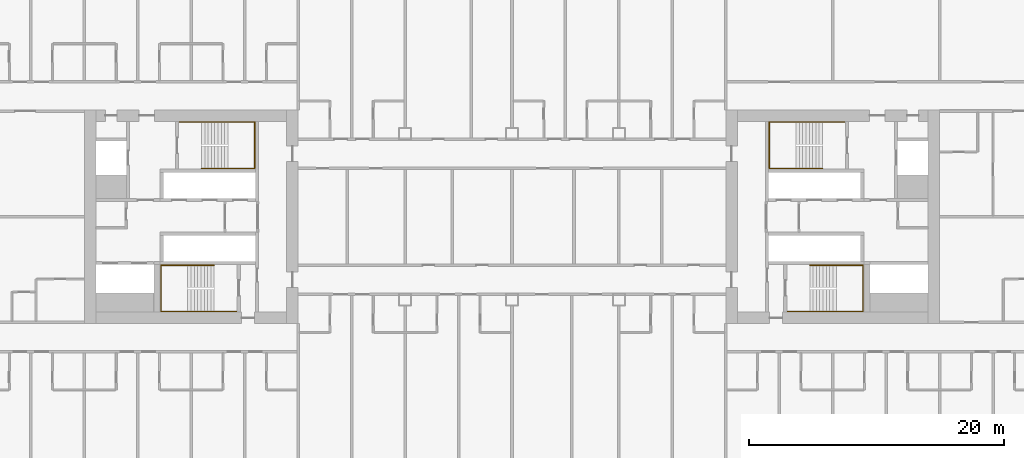
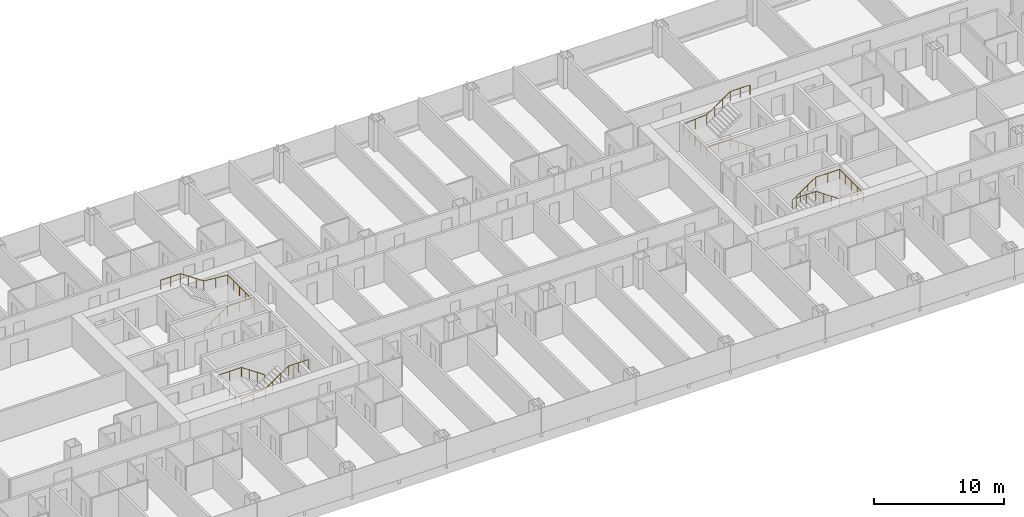
# One storey, part 29 of 29: 4 railings.
"""IFC4 building model written with IfcOpenShell, lengths in metres."""

from ifc_helpers import new_model, si_unit, direction, frame, origin, origin_2d, place, context, subcontext, project, spatial, circle, extrude, material, type_object, element, save


model = new_model("IFC4")

# Units and contexts
model_context = context("Model", 3, precision=1e-05, world=origin(), true_north=direction((0.0, 1.0)))
body_context = subcontext(model_context, "Body", "Model", "MODEL_VIEW")
ifc_project = project(units=[si_unit("LENGTHUNIT", "METRE"), si_unit("AREAUNIT", "SQUARE_METRE"), si_unit("VOLUMEUNIT", "CUBIC_METRE"), si_unit("PLANEANGLEUNIT", "RADIAN"), si_unit("MASSUNIT", "GRAM", prefix="KILO")], contexts=[model_context])

# Site, building, storey
site_placement = place(None, origin())
site = spatial("IfcSite", under=ifc_project, at=site_placement, CompositionType="ELEMENT")
building_placement = place(site_placement, origin())
building = spatial("IfcBuilding", under=site, at=building_placement, Name="Hakoniwa Tower and Hamabe Station Hall", CompositionType="ELEMENT")
storey_placement = place(building_placement, frame((0.0, 0.0, 55.0)))
storey = spatial("IfcBuildingStorey", under=building, at=storey_placement, Name="L15", CompositionType="ELEMENT", Elevation=55.0)

# Railings
ifc_material = material(Name="Stainless steel SUS304", Category="steel")
railing_type = type_object("IfcRailingType", Name="STAIR HANDRAIL 900", PredefinedType="HANDRAIL", material=ifc_material)
railing_1_placement = place(storey_placement, frame((-24.39990234375, 3.81005859375, 0.177734375)))
element("IfcRailing", 1, at=railing_1_placement, inside=storey, type_object=railing_type, Name="Handrail ST-1 L15 1", PredefinedType="HANDRAIL", context=body_context, shape_type="SweptSolid", body=[
    extrude(circle(Radius=0.02392578125, at=origin_2d()), frame((0.0, 0.0, 0.8759765625), z_axis=(0.825433201882, 0.0, 0.564499804456), x_axis=(0.0, 1.0, 0.0)), (0.0, 0.0, 1.0), 2.519775390625),
    extrude(circle(Radius=0.02392578125, at=origin_2d()), frame((2.079833984375, 0.0, 2.29833984375), z_axis=(1.0, 0.0, 0.0), x_axis=(0.0, 1.0, 0.0)), (0.0, 0.0, 1.0), 2.110107421875),
    extrude(circle(Radius=0.02392578125, at=origin_2d()), frame((4.18994140625, 0.0, 2.29833984375), z_axis=(0.0, 1.0, 0.0), x_axis=(-1.0, 0.0, 0.0)), (0.0, 0.0, 1.0), 3.6298828125),
    extrude(circle(Radius=0.02392578125, at=origin_2d()), frame((4.18994140625, 3.6298828125, 2.29833984375), z_axis=(-0.996471417081, 0.0, 0.083932800143), x_axis=(0.0, -1.0, 0.0)), (0.0, 0.0, 1.0), 2.11767578125),
    extrude(circle(Radius=0.02392578125, at=origin_2d()), frame((2.079833984375, 3.6298828125, 2.47607421875), z_axis=(-0.825478349766, 0.0, 0.564433781827), x_axis=(0.0, -1.0, 0.0)), (0.0, 0.0, 1.0), 2.51953125),
    extrude(circle(Radius=0.02392578125, at=origin_2d()), frame((0.0, 3.6298828125, 3.89794921875), z_axis=(-1.0, 0.0, 0.0), x_axis=(0.0, -1.0, 0.0)), (0.0, 0.0, 1.0), 1.739990234375),
    extrude(circle(Radius=0.02099609375, at=origin_2d()), origin(), (0.0, 0.0, 1.0), 0.851806640625),
    extrude(circle(Radius=0.02099609375, at=origin_2d()), frame((0.693359375, 0.0, 0.47412109375)), (0.0, 0.0, 1.0), 0.851806640625),
    extrude(circle(Radius=0.02099609375, at=origin_2d()), frame((1.386474609375, 0.0, 0.9482421875)), (0.0, 0.0, 1.0), 0.851806640625),
    extrude(circle(Radius=0.02099609375, at=origin_2d()), frame((2.079833984375, 0.0, 1.42236328125)), (0.0, 0.0, 1.0), 0.851806640625),
    extrude(circle(Radius=0.02099609375, at=origin_2d()), frame((3.134765625, 0.0, 1.42236328125)), (0.0, 0.0, 1.0), 0.851806640625),
    extrude(circle(Radius=0.02099609375, at=origin_2d()), frame((4.18994140625, 0.0, 1.42236328125)), (0.0, 0.0, 1.0), 0.851806640625),
    extrude(circle(Radius=0.02099609375, at=origin_2d()), frame((4.18994140625, 0.907470703125, 1.42236328125)), (0.0, 0.0, 1.0), 0.851806640625),
    extrude(circle(Radius=0.02099609375, at=origin_2d()), frame((4.18994140625, 1.81494140625, 1.42236328125)), (0.0, 0.0, 1.0), 0.851806640625),
    extrude(circle(Radius=0.02099609375, at=origin_2d()), frame((4.18994140625, 2.722412109375, 1.42236328125)), (0.0, 0.0, 1.0), 0.851806640625),
    extrude(circle(Radius=0.02099609375, at=origin_2d()), frame((4.18994140625, 3.6298828125, 1.42236328125)), (0.0, 0.0, 1.0), 0.851806640625),
    extrude(circle(Radius=0.02099609375, at=origin_2d()), frame((3.134765625, 3.6298828125, 1.51123046875)), (0.0, 0.0, 1.0), 0.851806640625),
    extrude(circle(Radius=0.02099609375, at=origin_2d()), frame((2.079833984375, 3.6298828125, 1.60009765625)), (0.0, 0.0, 1.0), 0.851806640625),
    extrude(circle(Radius=0.02099609375, at=origin_2d()), frame((1.386474609375, 3.6298828125, 2.07421875)), (0.0, 0.0, 1.0), 0.851806640625),
    extrude(circle(Radius=0.02099609375, at=origin_2d()), frame((0.693359375, 3.6298828125, 2.548095703125)), (0.0, 0.0, 1.0), 0.851806640625),
    extrude(circle(Radius=0.02099609375, at=origin_2d()), frame((0.0, 3.6298828125, 3.022216796875)), (0.0, 0.0, 1.0), 0.851806640625),
    extrude(circle(Radius=0.02099609375, at=origin_2d()), frame((-0.8701171875, 3.6298828125, 3.022216796875)), (0.0, 0.0, 1.0), 0.851806640625),
    extrude(circle(Radius=0.02099609375, at=origin_2d()), frame((-1.739990234375, 3.6298828125, 3.022216796875)), (0.0, 0.0, 1.0), 0.851806640625),
])
railing_2_placement = place(storey_placement, frame((-23.39990234375, -3.81005859375, 0.177734375)))
element("IfcRailing", 2, at=railing_2_placement, inside=storey, type_object=railing_type, Name="Handrail ST-2 L15 1", PredefinedType="HANDRAIL", context=body_context, shape_type="SweptSolid", body=[
    extrude(circle(Radius=0.02392578125, at=origin_2d()), frame((0.0, 0.0, 0.8759765625), z_axis=(-0.825464074169, 0.0, 0.564454659168), x_axis=(0.0, -1.0, 0.0)), (0.0, 0.0, 1.0), 2.519775390625),
    extrude(circle(Radius=0.02392578125, at=origin_2d()), frame((-2.080078125, 0.0, 2.29833984375), z_axis=(-1.0, 0.0, 0.0), x_axis=(0.0, -1.0, 0.0)), (0.0, 0.0, 1.0), 2.110107421875),
    extrude(circle(Radius=0.02392578125, at=origin_2d()), frame((-4.190185546875, 0.0, 2.29833984375), z_axis=(0.0, -1.0, 0.0), x_axis=(1.0, 0.0, 0.0)), (0.0, 0.0, 1.0), 3.6298828125),
    extrude(circle(Radius=0.02392578125, at=origin_2d()), frame((-4.190185546875, -3.6298828125, 2.29833984375), z_axis=(0.996471417081, 0.0, 0.083932800143), x_axis=(0.0, 1.0, 0.0)), (0.0, 0.0, 1.0), 2.11767578125),
    extrude(circle(Radius=0.02392578125, at=origin_2d()), frame((-2.080078125, -3.6298828125, 2.47607421875), z_axis=(0.82550921652, 0.0, 0.564388636881), x_axis=(0.0, 1.0, 0.0)), (0.0, 0.0, 1.0), 2.519775390625),
    extrude(circle(Radius=0.02392578125, at=origin_2d()), frame((0.0, -3.6298828125, 3.89794921875), z_axis=(1.0, 0.0, 0.0), x_axis=(0.0, 1.0, 0.0)), (0.0, 0.0, 1.0), 1.739990234375),
    extrude(circle(Radius=0.02099609375, at=origin_2d()), origin(), (0.0, 0.0, 1.0), 0.851806640625),
    extrude(circle(Radius=0.02099609375, at=origin_2d()), frame((-0.693359375, 0.0, 0.47412109375)), (0.0, 0.0, 1.0), 0.851806640625),
    extrude(circle(Radius=0.02099609375, at=origin_2d()), frame((-1.38671875, 0.0, 0.9482421875)), (0.0, 0.0, 1.0), 0.851806640625),
    extrude(circle(Radius=0.02099609375, at=origin_2d()), frame((-2.080078125, 0.0, 1.42236328125)), (0.0, 0.0, 1.0), 0.851806640625),
    extrude(circle(Radius=0.02099609375, at=origin_2d()), frame((-3.13525390625, 0.0, 1.42236328125)), (0.0, 0.0, 1.0), 0.851806640625),
    extrude(circle(Radius=0.02099609375, at=origin_2d()), frame((-4.190185546875, 0.0, 1.42236328125)), (0.0, 0.0, 1.0), 0.851806640625),
    extrude(circle(Radius=0.02099609375, at=origin_2d()), frame((-4.190185546875, -0.907470703125, 1.42236328125)), (0.0, 0.0, 1.0), 0.851806640625),
    extrude(circle(Radius=0.02099609375, at=origin_2d()), frame((-4.190185546875, -1.81494140625, 1.42236328125)), (0.0, 0.0, 1.0), 0.851806640625),
    extrude(circle(Radius=0.02099609375, at=origin_2d()), frame((-4.190185546875, -2.722412109375, 1.42236328125)), (0.0, 0.0, 1.0), 0.851806640625),
    extrude(circle(Radius=0.02099609375, at=origin_2d()), frame((-4.190185546875, -3.6298828125, 1.42236328125)), (0.0, 0.0, 1.0), 0.851806640625),
    extrude(circle(Radius=0.02099609375, at=origin_2d()), frame((-3.13525390625, -3.6298828125, 1.51123046875)), (0.0, 0.0, 1.0), 0.851806640625),
    extrude(circle(Radius=0.02099609375, at=origin_2d()), frame((-2.080078125, -3.6298828125, 1.60009765625)), (0.0, 0.0, 1.0), 0.851806640625),
    extrude(circle(Radius=0.02099609375, at=origin_2d()), frame((-1.38671875, -3.6298828125, 2.07421875)), (0.0, 0.0, 1.0), 0.851806640625),
    extrude(circle(Radius=0.02099609375, at=origin_2d()), frame((-0.693359375, -3.6298828125, 2.548095703125)), (0.0, 0.0, 1.0), 0.851806640625),
    extrude(circle(Radius=0.02099609375, at=origin_2d()), frame((0.0, -3.6298828125, 3.022216796875)), (0.0, 0.0, 1.0), 0.851806640625),
    extrude(circle(Radius=0.02099609375, at=origin_2d()), frame((0.8701171875, -3.6298828125, 3.022216796875)), (0.0, 0.0, 1.0), 0.851806640625),
    extrude(circle(Radius=0.02099609375, at=origin_2d()), frame((1.739990234375, -3.6298828125, 3.022216796875)), (0.0, 0.0, 1.0), 0.851806640625),
])
railing_3_placement = place(storey_placement, frame((24.39990234375, 3.81005859375, 0.177734375)))
element("IfcRailing", 3, at=railing_3_placement, inside=storey, type_object=railing_type, Name="Handrail ST-3 L15 1", PredefinedType="HANDRAIL", context=body_context, shape_type="SweptSolid", body=[
    extrude(circle(Radius=0.02392578125, at=origin_2d()), frame((0.0, 0.0, 0.8759765625), z_axis=(-0.825433201882, 0.0, 0.564499804456), x_axis=(0.0, -1.0, 0.0)), (0.0, 0.0, 1.0), 2.519775390625),
    extrude(circle(Radius=0.02392578125, at=origin_2d()), frame((-2.079833984375, 0.0, 2.29833984375), z_axis=(-1.0, 0.0, 0.0), x_axis=(0.0, -1.0, 0.0)), (0.0, 0.0, 1.0), 2.110107421875),
    extrude(circle(Radius=0.02392578125, at=origin_2d()), frame((-4.18994140625, 0.0, 2.29833984375), z_axis=(0.0, 1.0, 0.0), x_axis=(-1.0, 0.0, 0.0)), (0.0, 0.0, 1.0), 3.6298828125),
    extrude(circle(Radius=0.02392578125, at=origin_2d()), frame((-4.18994140625, 3.6298828125, 2.29833984375), z_axis=(0.996471417081, 0.0, 0.083932800143), x_axis=(0.0, 1.0, 0.0)), (0.0, 0.0, 1.0), 2.11767578125),
    extrude(circle(Radius=0.02392578125, at=origin_2d()), frame((-2.079833984375, 3.6298828125, 2.47607421875), z_axis=(0.825478349766, 0.0, 0.564433781827), x_axis=(0.0, 1.0, 0.0)), (0.0, 0.0, 1.0), 2.51953125),
    extrude(circle(Radius=0.02392578125, at=origin_2d()), frame((0.0, 3.6298828125, 3.89794921875), z_axis=(1.0, 0.0, 0.0), x_axis=(0.0, 1.0, 0.0)), (0.0, 0.0, 1.0), 1.739990234375),
    extrude(circle(Radius=0.02099609375, at=origin_2d()), origin(), (0.0, 0.0, 1.0), 0.851806640625),
    extrude(circle(Radius=0.02099609375, at=origin_2d()), frame((-0.693359375, 0.0, 0.47412109375)), (0.0, 0.0, 1.0), 0.851806640625),
    extrude(circle(Radius=0.02099609375, at=origin_2d()), frame((-1.386474609375, 0.0, 0.9482421875)), (0.0, 0.0, 1.0), 0.851806640625),
    extrude(circle(Radius=0.02099609375, at=origin_2d()), frame((-2.079833984375, 0.0, 1.42236328125)), (0.0, 0.0, 1.0), 0.851806640625),
    extrude(circle(Radius=0.02099609375, at=origin_2d()), frame((-3.134765625, 0.0, 1.42236328125)), (0.0, 0.0, 1.0), 0.851806640625),
    extrude(circle(Radius=0.02099609375, at=origin_2d()), frame((-4.18994140625, 0.0, 1.42236328125)), (0.0, 0.0, 1.0), 0.851806640625),
    extrude(circle(Radius=0.02099609375, at=origin_2d()), frame((-4.18994140625, 0.907470703125, 1.42236328125)), (0.0, 0.0, 1.0), 0.851806640625),
    extrude(circle(Radius=0.02099609375, at=origin_2d()), frame((-4.18994140625, 1.81494140625, 1.42236328125)), (0.0, 0.0, 1.0), 0.851806640625),
    extrude(circle(Radius=0.02099609375, at=origin_2d()), frame((-4.18994140625, 2.722412109375, 1.42236328125)), (0.0, 0.0, 1.0), 0.851806640625),
    extrude(circle(Radius=0.02099609375, at=origin_2d()), frame((-4.18994140625, 3.6298828125, 1.42236328125)), (0.0, 0.0, 1.0), 0.851806640625),
    extrude(circle(Radius=0.02099609375, at=origin_2d()), frame((-3.134765625, 3.6298828125, 1.51123046875)), (0.0, 0.0, 1.0), 0.851806640625),
    extrude(circle(Radius=0.02099609375, at=origin_2d()), frame((-2.079833984375, 3.6298828125, 1.60009765625)), (0.0, 0.0, 1.0), 0.851806640625),
    extrude(circle(Radius=0.02099609375, at=origin_2d()), frame((-1.386474609375, 3.6298828125, 2.07421875)), (0.0, 0.0, 1.0), 0.851806640625),
    extrude(circle(Radius=0.02099609375, at=origin_2d()), frame((-0.693359375, 3.6298828125, 2.548095703125)), (0.0, 0.0, 1.0), 0.851806640625),
    extrude(circle(Radius=0.02099609375, at=origin_2d()), frame((0.0, 3.6298828125, 3.022216796875)), (0.0, 0.0, 1.0), 0.851806640625),
    extrude(circle(Radius=0.02099609375, at=origin_2d()), frame((0.8701171875, 3.6298828125, 3.022216796875)), (0.0, 0.0, 1.0), 0.851806640625),
    extrude(circle(Radius=0.02099609375, at=origin_2d()), frame((1.739990234375, 3.6298828125, 3.022216796875)), (0.0, 0.0, 1.0), 0.851806640625),
])
railing_4_placement = place(storey_placement, frame((23.39990234375, -3.81005859375, 0.177734375)))
element("IfcRailing", 4, at=railing_4_placement, inside=storey, type_object=railing_type, Name="Handrail ST-4 L15 1", PredefinedType="HANDRAIL", context=body_context, shape_type="SweptSolid", body=[
    extrude(circle(Radius=0.02392578125, at=origin_2d()), frame((0.0, 0.0, 0.8759765625), z_axis=(0.825464074169, 0.0, 0.564454659168), x_axis=(0.0, 1.0, 0.0)), (0.0, 0.0, 1.0), 2.519775390625),
    extrude(circle(Radius=0.02392578125, at=origin_2d()), frame((2.080078125, 0.0, 2.29833984375), z_axis=(1.0, 0.0, 0.0), x_axis=(0.0, 1.0, 0.0)), (0.0, 0.0, 1.0), 2.110107421875),
    extrude(circle(Radius=0.02392578125, at=origin_2d()), frame((4.190185546875, 0.0, 2.29833984375), z_axis=(0.0, -1.0, 0.0), x_axis=(1.0, 0.0, 0.0)), (0.0, 0.0, 1.0), 3.6298828125),
    extrude(circle(Radius=0.02392578125, at=origin_2d()), frame((4.190185546875, -3.6298828125, 2.29833984375), z_axis=(-0.996471417081, 0.0, 0.083932800143), x_axis=(0.0, -1.0, 0.0)), (0.0, 0.0, 1.0), 2.11767578125),
    extrude(circle(Radius=0.02392578125, at=origin_2d()), frame((2.080078125, -3.6298828125, 2.47607421875), z_axis=(-0.82550921652, 0.0, 0.564388636881), x_axis=(0.0, -1.0, 0.0)), (0.0, 0.0, 1.0), 2.519775390625),
    extrude(circle(Radius=0.02392578125, at=origin_2d()), frame((0.0, -3.6298828125, 3.89794921875), z_axis=(-1.0, 0.0, 0.0), x_axis=(0.0, -1.0, 0.0)), (0.0, 0.0, 1.0), 1.739990234375),
    extrude(circle(Radius=0.02099609375, at=origin_2d()), origin(), (0.0, 0.0, 1.0), 0.851806640625),
    extrude(circle(Radius=0.02099609375, at=origin_2d()), frame((0.693359375, 0.0, 0.47412109375)), (0.0, 0.0, 1.0), 0.851806640625),
    extrude(circle(Radius=0.02099609375, at=origin_2d()), frame((1.38671875, 0.0, 0.9482421875)), (0.0, 0.0, 1.0), 0.851806640625),
    extrude(circle(Radius=0.02099609375, at=origin_2d()), frame((2.080078125, 0.0, 1.42236328125)), (0.0, 0.0, 1.0), 0.851806640625),
    extrude(circle(Radius=0.02099609375, at=origin_2d()), frame((3.13525390625, 0.0, 1.42236328125)), (0.0, 0.0, 1.0), 0.851806640625),
    extrude(circle(Radius=0.02099609375, at=origin_2d()), frame((4.190185546875, 0.0, 1.42236328125)), (0.0, 0.0, 1.0), 0.851806640625),
    extrude(circle(Radius=0.02099609375, at=origin_2d()), frame((4.190185546875, -0.907470703125, 1.42236328125)), (0.0, 0.0, 1.0), 0.851806640625),
    extrude(circle(Radius=0.02099609375, at=origin_2d()), frame((4.190185546875, -1.81494140625, 1.42236328125)), (0.0, 0.0, 1.0), 0.851806640625),
    extrude(circle(Radius=0.02099609375, at=origin_2d()), frame((4.190185546875, -2.722412109375, 1.42236328125)), (0.0, 0.0, 1.0), 0.851806640625),
    extrude(circle(Radius=0.02099609375, at=origin_2d()), frame((4.190185546875, -3.6298828125, 1.42236328125)), (0.0, 0.0, 1.0), 0.851806640625),
    extrude(circle(Radius=0.02099609375, at=origin_2d()), frame((3.13525390625, -3.6298828125, 1.51123046875)), (0.0, 0.0, 1.0), 0.851806640625),
    extrude(circle(Radius=0.02099609375, at=origin_2d()), frame((2.080078125, -3.6298828125, 1.60009765625)), (0.0, 0.0, 1.0), 0.851806640625),
    extrude(circle(Radius=0.02099609375, at=origin_2d()), frame((1.38671875, -3.6298828125, 2.07421875)), (0.0, 0.0, 1.0), 0.851806640625),
    extrude(circle(Radius=0.02099609375, at=origin_2d()), frame((0.693359375, -3.6298828125, 2.548095703125)), (0.0, 0.0, 1.0), 0.851806640625),
    extrude(circle(Radius=0.02099609375, at=origin_2d()), frame((0.0, -3.6298828125, 3.022216796875)), (0.0, 0.0, 1.0), 0.851806640625),
    extrude(circle(Radius=0.02099609375, at=origin_2d()), frame((-0.8701171875, -3.6298828125, 3.022216796875)), (0.0, 0.0, 1.0), 0.851806640625),
    extrude(circle(Radius=0.02099609375, at=origin_2d()), frame((-1.739990234375, -3.6298828125, 3.022216796875)), (0.0, 0.0, 1.0), 0.851806640625),
])

save(model, "model.ifc")
